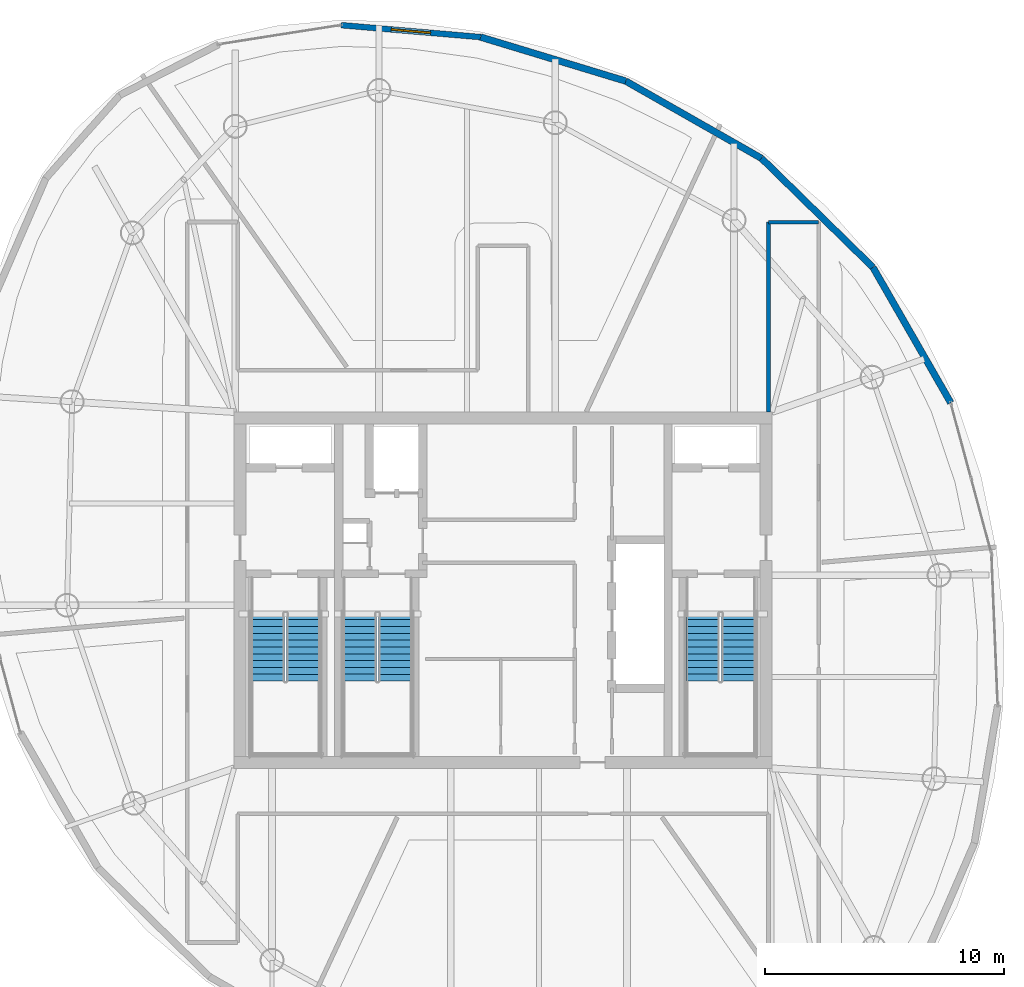
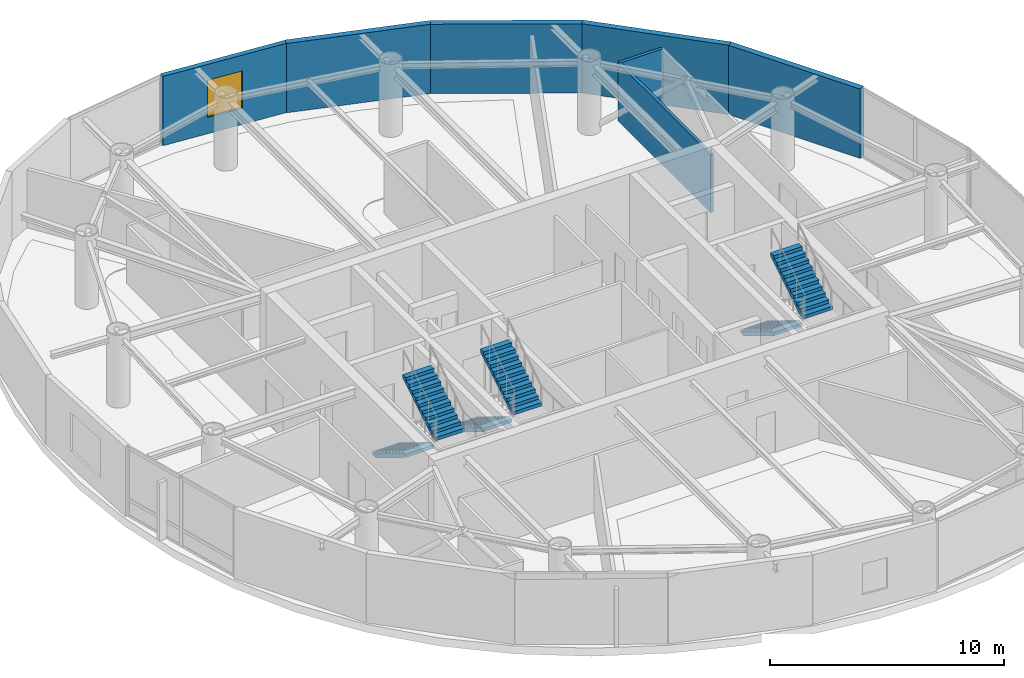
# One storey, part 16 of 20: 7 walls, 6 stair flights, 1 window, 1 opening, 3 elements without a shape of their own.
"""IFC4 building model written with IfcOpenShell, lengths in metres."""

from ifc_helpers import new_model, si_unit, direction, frame, frame_2d, origin, place, context, subcontext, project, spatial, polyline, rectangle, outline, extrude, material, layer, layer_set, type_object, element, fill, aggregate, save


model = new_model("IFC4")

# Units and contexts
model_context = context("Model", 3, precision=1e-05, world=origin(), true_north=direction((0.0, 1.0)))
body_context = subcontext(model_context, "Body", "Model", "MODEL_VIEW")
ifc_project = project(units=[si_unit("LENGTHUNIT", "METRE"), si_unit("AREAUNIT", "SQUARE_METRE"), si_unit("VOLUMEUNIT", "CUBIC_METRE"), si_unit("PLANEANGLEUNIT", "RADIAN"), si_unit("MASSUNIT", "GRAM", prefix="KILO")], contexts=[model_context])

# Site, building, storey
site_placement = place(None, origin())
site = spatial("IfcSite", under=ifc_project, at=site_placement, CompositionType="ELEMENT")
building_placement = place(site_placement, origin())
building = spatial("IfcBuilding", under=site, at=building_placement, Name="Bramvorn Convention Spire", CompositionType="ELEMENT")
storey_placement = place(building_placement, frame((0.0, 0.0, 242.050048828125)))
storey = spatial("IfcBuildingStorey", under=building, at=storey_placement, Name="L61", CompositionType="ELEMENT", Elevation=242.050048828125)

# Walls
ifc_material_1 = material(Name="Precast Concrete C40/50 with Bronze Terracotta Rainscreen", Category="masonry")
ifc_layer_1 = layer(ifc_material_1, 0.300048828125)
ifc_layer_set_1 = layer_set([ifc_layer_1], Name="Precast Concrete C40/50 with Bronze Terracotta Rainscreen - WL-EXT-BRONZE-300")
wall_type_1 = type_object("IfcWallType", Name="WL-EXT-BRONZE-300", PredefinedType="SOLIDWALL", material=ifc_layer_set_1)
for number, where, z_axis, x_axis, name in (
    (1, (53.47314453125, 39.498291015625, 0.0), (0.0, 0.0, 1.0), (0.498014952343, -0.867168442255, 0.0), "L61 expressed bronze Gothic lancet pier wall 06"),
    (2, (48.807373046875, 44.0625, 0.0), (0.0, 0.0, 1.0), (0.714844187418, -0.699283767661, 0.0), "L61 expressed bronze Gothic lancet pier wall 07"),
):
    element("IfcWall", number, at=place(storey_placement, frame(where, z_axis=z_axis, x_axis=x_axis)), inside=storey, type_object=wall_type_1, Name=name, PredefinedType="SOLIDWALL", context=body_context, shape_type="SweptSolid", body=[
        extrude(rectangle(XDim=6.52685546875, YDim=0.280029296875, at=frame_2d((3.263427734375, 0.0))), origin(), (0.0, 0.0, 1.0), 3.625),
    ])
wall_1_placement = place(storey_placement, frame((43.13525390625, 47.290283203125, 0.0), z_axis=(0.0, 0.0, 1.0), x_axis=(0.869128067122, -0.494587103492, 0.0)))
element("IfcWall", 3, at=wall_1_placement, inside=storey, type_object=wall_type_1, Name="L61 expressed bronze Gothic lancet pier wall 08", PredefinedType="SOLIDWALL", context=body_context, shape_type="SweptSolid", body=[
    extrude(rectangle(XDim=6.526123046875, YDim=0.280029296875, at=frame_2d((3.26318359375, 0.0))), origin(), (0.0, 0.0, 1.0), 3.625),
])
wall_2_placement = place(storey_placement, frame((37.063232421875, 49.131591796875, 0.0), z_axis=(0.0, 0.0, 1.0), x_axis=(0.956967430601, -0.290195342431, 0.0)))
element("IfcWall", 4, at=wall_2_placement, inside=storey, type_object=wall_type_1, Name="L61 expressed bronze Gothic lancet pier wall 09", PredefinedType="SOLIDWALL", context=body_context, shape_type="SweptSolid", body=[
    extrude(rectangle(XDim=6.344970703125, YDim=0.280029296875, at=frame_2d((3.17236328125, 0.0))), origin(), (0.0, 0.0, 1.0), 3.625),
])

# Wall, opening, window
wall_3_placement = place(storey_placement, frame((31.224609375, 49.631591796875, 0.0), z_axis=(0.0, 0.0, 1.0), x_axis=(0.996353229665, -0.085324332609, 0.0)))
wall_3 = element("IfcWall", 5, at=wall_3_placement, inside=storey, type_object=wall_type_1, Name="L61 bronze ceramic-frit spandrel & operable window bay 10", PredefinedType="SOLIDWALL", context=body_context, shape_type="SweptSolid", body=[
    extrude(rectangle(XDim=5.860107421875, YDim=0.239990234375, at=frame_2d((2.93017578125, 0.0))), origin(), (0.0, 0.0, 1.0), 3.625),
])
opening_placement = place(wall_3_placement, frame((2.10498046875, 0.0, 0.85009765625)))
opening = element("IfcOpeningElement", 6, at=opening_placement, cuts=wall_3, Name="Opening WN08", PredefinedType="OPENING", context=body_context, shape_type="SweptSolid", body=[
    extrude(rectangle(XDim=1.64990234375, YDim=1.949951171875, at=frame_2d((0.824951171875, 0.97509765625))), frame((0.0, 0.1298828125, 0.0), z_axis=(0.0, -1.0, 0.0), x_axis=(1.0, 0.0, 0.0)), (0.0, 0.0, 1.0), 0.260009765625),
])
ifc_material_2 = material(Name="Thermally Broken Bronze Aluminium & Triple Low-E Glass", Category="aluminium")
window_type = type_object("IfcWindowType", Name="WN-OP-1650X1950", PartitioningType="SINGLE_PANEL", PredefinedType="WINDOW", material=ifc_material_2)
window_placement = place(opening_placement, origin())
window = element("IfcWindow", 7, at=window_placement, inside=storey, type_object=window_type, Name="L61 operable parallel-vent window 10", OverallHeight=1.949951171875, OverallWidth=1.64990234375, PartitioningType="SINGLE_PANEL", PredefinedType="WINDOW", context=body_context, shape_type="SweptSolid", body=[
    extrude(rectangle(XDim=1.64990234375, YDim=1.949951171875, at=frame_2d((0.824951171875, 0.97509765625))), frame((0.0, 0.030029296875, 0.0), z_axis=(0.0, -1.0, 0.0), x_axis=(1.0, 0.0, 0.0)), (0.0, 0.0, 1.0), 0.06005859375),
])
fill(opening, window)

# Walls
ifc_material_3 = material(Name="Acoustic Metal-Stud Tenant/Corridor Partition", Category="gypsum")
ifc_layer_2 = layer(ifc_material_3, 0.14990234375)
ifc_layer_set_2 = layer_set([ifc_layer_2], Name="Acoustic Metal-Stud Tenant/Corridor Partition - WL-PART-150")
wall_type_2 = type_object("IfcWallType", Name="WL-PART-150", PredefinedType="PARTITIONING", material=ifc_layer_set_2)
wall_4_placement = place(storey_placement, frame((49.10009765625, 33.449951171875, 0.0), z_axis=(0.0, 0.0, 1.0), x_axis=(0.0, 1.0, 0.0)))
element("IfcWall", 8, at=wall_4_placement, inside=storey, type_object=wall_type_2, Name="L61 East gallery NW wall", PredefinedType="PARTITIONING", context=body_context, shape_type="SweptSolid", body=[
    extrude(rectangle(XDim=7.9404296875, YDim=0.14990234375, at=frame_2d((3.97021484375, 0.0))), origin(), (0.0, 0.0, 1.0), 3.0400390625),
])
wall_5_placement = place(storey_placement, frame((49.10009765625, 41.390380859375, 0.0), z_axis=(0.0, 0.0, 1.0), x_axis=(1.0, 0.0, 0.0)))
element("IfcWall", 9, at=wall_5_placement, inside=storey, type_object=wall_type_2, Name="L61 East gallery north end", PredefinedType="PARTITIONING", context=body_context, shape_type="SweptSolid", body=[
    extrude(rectangle(XDim=2.099853515625, YDim=0.14990234375, at=frame_2d((1.0498046875, 0.0))), origin(), (0.0, 0.0, 1.0), 3.0400390625),
])

# Stair, stair flights
ifc_material_4 = material(Name="Concrete C40/50 Precast Stair", Category="concrete")
stair_type = type_object("IfcStairType", Name="ST-TOWER-1550", PredefinedType="HALF_TURN_STAIR", material=ifc_material_4)
stair_1_placement = place(storey_placement, origin())
stair_1 = element("IfcStair", 10, at=stair_1_placement, inside=storey, type_object=stair_type, Name="L61 Protected Exit Stair ST1", PredefinedType="HALF_TURN_STAIR")
ifc_material_5 = material(Name="Concrete C40/50 Precast Stair Flight", Category="concrete")
stair_flight_type = type_object("IfcStairFlightType", Name="STF-TOWER-1550", PredefinedType="STRAIGHT", material=ifc_material_5)
stair_flight_1_placement = place(storey_placement, frame((28.155029296875, 25.050048828125, 0.0), z_axis=(0.0, 0.0, 1.0), x_axis=(0.0, -1.0, 0.0)))
stair_flight_1 = element("IfcStairFlight", 11, at=stair_flight_1_placement, type_object=stair_flight_type, Name="ST1 flight 1", NumberOfRisers=11, NumberOfTreads=10, PredefinedType="STRAIGHT", RiserHeight=0.175, TreadLength=0.285, context=body_context, shape_type="SweptSolid", body=[
    extrude(outline(polyline([(0.0, 0.0), (0.0, 0.175048828125), (0.284912109375, 0.175048828125), (0.284912109375, 0.35009765625), (0.570068359375, 0.35009765625), (0.570068359375, 0.52490234375), (0.85498046875, 0.52490234375), (0.85498046875, 0.699951171875), (1.139892578125, 0.699951171875), (1.139892578125, 0.875), (1.425048828125, 0.875), (1.425048828125, 1.050048828125), (1.7099609375, 1.050048828125), (1.7099609375, 1.22509765625), (1.9951171875, 1.22509765625), (1.9951171875, 1.39990234375), (2.280029296875, 1.39990234375), (2.280029296875, 1.574951171875), (2.56494140625, 1.574951171875), (2.56494140625, 1.75), (2.85009765625, 1.75), (2.85009765625, 1.925048828125), (2.85009765625, 1.573974609375), (0.286376953125, 0.0), (0.0, 0.0)])), frame((0.0, 0.705078125, 0.0), z_axis=(0.0, -1.0, 0.0), x_axis=(1.0, 0.0, 0.0)), (0.0, 0.0, 1.0), 1.409912109375),
])
stair_flight_2_placement = place(storey_placement, frame((29.64501953125, 22.199951171875, 1.925048828125), z_axis=(0.0, 0.0, 1.0), x_axis=(0.0, 1.0, 0.0)))
stair_flight_2 = element("IfcStairFlight", 12, at=stair_flight_2_placement, type_object=stair_flight_type, Name="ST1 flight 2", NumberOfRisers=11, NumberOfTreads=10, PredefinedType="STRAIGHT", RiserHeight=0.175, TreadLength=0.285, context=body_context, shape_type="SweptSolid", body=[
    extrude(outline(polyline([(0.0, 0.0), (0.0, 0.175048828125), (0.284912109375, 0.175048828125), (0.284912109375, 0.35009765625), (0.570068359375, 0.35009765625), (0.570068359375, 0.52490234375), (0.85498046875, 0.52490234375), (0.85498046875, 0.699951171875), (1.139892578125, 0.699951171875), (1.139892578125, 0.875), (1.425048828125, 0.875), (1.425048828125, 1.050048828125), (1.7099609375, 1.050048828125), (1.7099609375, 1.22509765625), (1.9951171875, 1.22509765625), (1.9951171875, 1.39990234375), (2.280029296875, 1.39990234375), (2.280029296875, 1.574951171875), (2.56494140625, 1.574951171875), (2.56494140625, 1.75), (2.85009765625, 1.75), (2.85009765625, 1.925048828125), (2.85009765625, 1.573974609375), (0.286376953125, 0.0), (0.0, 0.0)])), frame((0.0, 0.705078125, 0.0), z_axis=(0.0, -1.0, 0.0), x_axis=(1.0, 0.0, 0.0)), (0.0, 0.0, 1.0), 1.409912109375),
])
aggregate(stair_1, [stair_flight_1, stair_flight_2])

stair_2_placement = place(storey_placement, origin())
stair_2 = element("IfcStair", 13, at=stair_2_placement, inside=storey, type_object=stair_type, Name="L61 Protected Exit Stair ST2", PredefinedType="HALF_TURN_STAIR")
stair_flight_3_placement = place(storey_placement, frame((46.35498046875, 25.050048828125, 0.0), z_axis=(0.0, 0.0, 1.0), x_axis=(0.0, -1.0, 0.0)))
stair_flight_3 = element("IfcStairFlight", 14, at=stair_flight_3_placement, type_object=stair_flight_type, Name="ST2 flight 1", NumberOfRisers=11, NumberOfTreads=10, PredefinedType="STRAIGHT", RiserHeight=0.175, TreadLength=0.285, context=body_context, shape_type="SweptSolid", body=[
    extrude(outline(polyline([(0.0, 0.0), (0.0, 0.175048828125), (0.284912109375, 0.175048828125), (0.284912109375, 0.35009765625), (0.570068359375, 0.35009765625), (0.570068359375, 0.52490234375), (0.85498046875, 0.52490234375), (0.85498046875, 0.699951171875), (1.139892578125, 0.699951171875), (1.139892578125, 0.875), (1.425048828125, 0.875), (1.425048828125, 1.050048828125), (1.7099609375, 1.050048828125), (1.7099609375, 1.22509765625), (1.9951171875, 1.22509765625), (1.9951171875, 1.39990234375), (2.280029296875, 1.39990234375), (2.280029296875, 1.574951171875), (2.56494140625, 1.574951171875), (2.56494140625, 1.75), (2.85009765625, 1.75), (2.85009765625, 1.925048828125), (2.85009765625, 1.573974609375), (0.286376953125, 0.0), (0.0, 0.0)])), frame((0.0, 0.705078125, 0.0), z_axis=(0.0, -1.0, 0.0), x_axis=(1.0, 0.0, 0.0)), (0.0, 0.0, 1.0), 1.409912109375),
])
stair_flight_4_placement = place(storey_placement, frame((47.844970703125, 22.199951171875, 1.925048828125), z_axis=(0.0, 0.0, 1.0), x_axis=(0.0, 1.0, 0.0)))
stair_flight_4 = element("IfcStairFlight", 15, at=stair_flight_4_placement, type_object=stair_flight_type, Name="ST2 flight 2", NumberOfRisers=11, NumberOfTreads=10, PredefinedType="STRAIGHT", RiserHeight=0.175, TreadLength=0.285, context=body_context, shape_type="SweptSolid", body=[
    extrude(outline(polyline([(0.0, 0.0), (0.0, 0.175048828125), (0.284912109375, 0.175048828125), (0.284912109375, 0.35009765625), (0.570068359375, 0.35009765625), (0.570068359375, 0.52490234375), (0.85498046875, 0.52490234375), (0.85498046875, 0.699951171875), (1.139892578125, 0.699951171875), (1.139892578125, 0.875), (1.425048828125, 0.875), (1.425048828125, 1.050048828125), (1.7099609375, 1.050048828125), (1.7099609375, 1.22509765625), (1.9951171875, 1.22509765625), (1.9951171875, 1.39990234375), (2.280029296875, 1.39990234375), (2.280029296875, 1.574951171875), (2.56494140625, 1.574951171875), (2.56494140625, 1.75), (2.85009765625, 1.75), (2.85009765625, 1.925048828125), (2.85009765625, 1.573974609375), (0.286376953125, 0.0), (0.0, 0.0)])), frame((0.0, 0.705078125, 0.0), z_axis=(0.0, -1.0, 0.0), x_axis=(1.0, 0.0, 0.0)), (0.0, 0.0, 1.0), 1.409912109375),
])
aggregate(stair_2, [stair_flight_3, stair_flight_4])

stair_3_placement = place(storey_placement, origin())
stair_3 = element("IfcStair", 16, at=stair_3_placement, inside=storey, type_object=stair_type, Name="L61 Protected Exit Stair ST3", PredefinedType="HALF_TURN_STAIR")
stair_flight_5_placement = place(storey_placement, frame((32.0048828125, 25.050048828125, 0.0), z_axis=(0.0, 0.0, 1.0), x_axis=(0.0, -1.0, 0.0)))
stair_flight_5 = element("IfcStairFlight", 17, at=stair_flight_5_placement, type_object=stair_flight_type, Name="ST3 flight 1", NumberOfRisers=11, NumberOfTreads=10, PredefinedType="STRAIGHT", RiserHeight=0.175, TreadLength=0.285, context=body_context, shape_type="SweptSolid", body=[
    extrude(outline(polyline([(0.0, 0.0), (0.0, 0.175048828125), (0.284912109375, 0.175048828125), (0.284912109375, 0.35009765625), (0.570068359375, 0.35009765625), (0.570068359375, 0.52490234375), (0.85498046875, 0.52490234375), (0.85498046875, 0.699951171875), (1.139892578125, 0.699951171875), (1.139892578125, 0.875), (1.425048828125, 0.875), (1.425048828125, 1.050048828125), (1.7099609375, 1.050048828125), (1.7099609375, 1.22509765625), (1.9951171875, 1.22509765625), (1.9951171875, 1.39990234375), (2.280029296875, 1.39990234375), (2.280029296875, 1.574951171875), (2.56494140625, 1.574951171875), (2.56494140625, 1.75), (2.85009765625, 1.75), (2.85009765625, 1.925048828125), (2.85009765625, 1.573974609375), (0.286376953125, 0.0), (0.0, 0.0)])), frame((0.0, 0.705078125, 0.0), z_axis=(0.0, -1.0, 0.0), x_axis=(1.0, 0.0, 0.0)), (0.0, 0.0, 1.0), 1.409912109375),
])
stair_flight_6_placement = place(storey_placement, frame((33.4951171875, 22.199951171875, 1.925048828125), z_axis=(0.0, 0.0, 1.0), x_axis=(0.0, 1.0, 0.0)))
stair_flight_6 = element("IfcStairFlight", 18, at=stair_flight_6_placement, type_object=stair_flight_type, Name="ST3 flight 2", NumberOfRisers=11, NumberOfTreads=10, PredefinedType="STRAIGHT", RiserHeight=0.175, TreadLength=0.285, context=body_context, shape_type="SweptSolid", body=[
    extrude(outline(polyline([(0.0, 0.0), (0.0, 0.175048828125), (0.284912109375, 0.175048828125), (0.284912109375, 0.35009765625), (0.570068359375, 0.35009765625), (0.570068359375, 0.52490234375), (0.85498046875, 0.52490234375), (0.85498046875, 0.699951171875), (1.139892578125, 0.699951171875), (1.139892578125, 0.875), (1.425048828125, 0.875), (1.425048828125, 1.050048828125), (1.7099609375, 1.050048828125), (1.7099609375, 1.22509765625), (1.9951171875, 1.22509765625), (1.9951171875, 1.39990234375), (2.280029296875, 1.39990234375), (2.280029296875, 1.574951171875), (2.56494140625, 1.574951171875), (2.56494140625, 1.75), (2.85009765625, 1.75), (2.85009765625, 1.925048828125), (2.85009765625, 1.573974609375), (0.286376953125, 0.0), (0.0, 0.0)])), frame((0.0, 0.705078125, 0.0), z_axis=(0.0, -1.0, 0.0), x_axis=(1.0, 0.0, 0.0)), (0.0, 0.0, 1.0), 1.409912109375),
])
aggregate(stair_3, [stair_flight_5, stair_flight_6])

save(model, "model.ifc")
